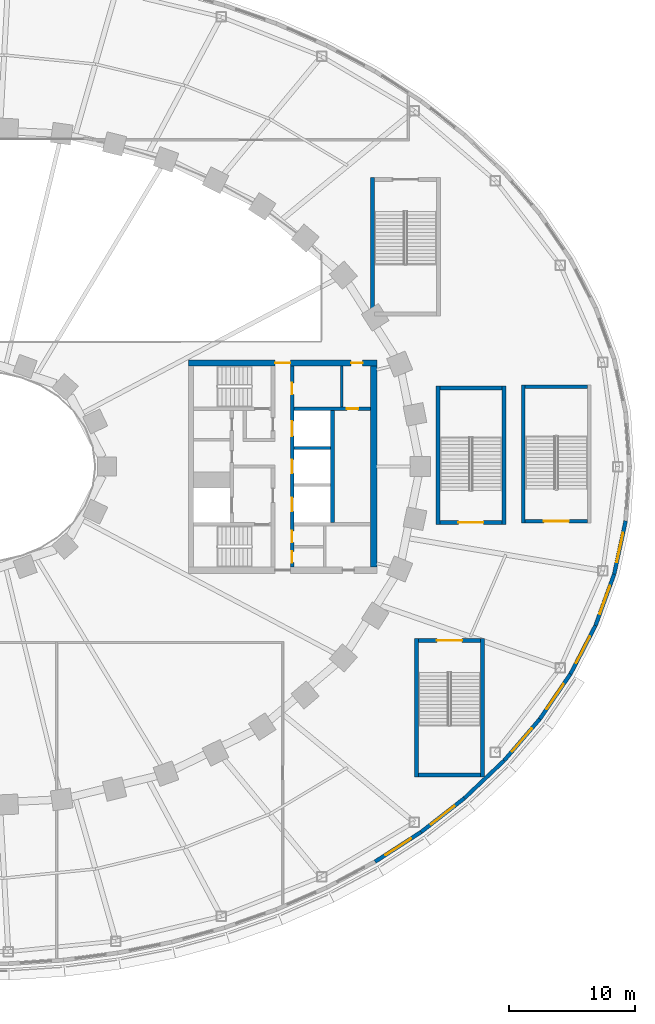
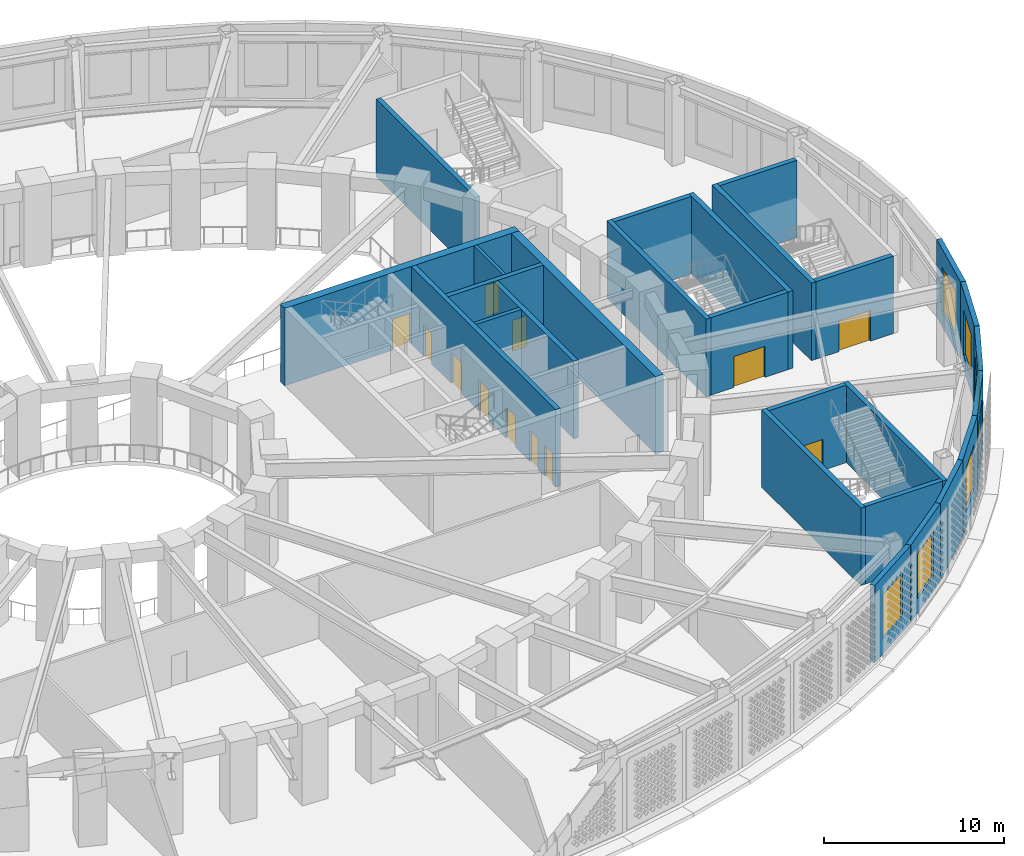
# One storey, part 19 of 69: 27 walls, 12 doors, 7 windows, 19 openings.
"""IFC4 building model written with IfcOpenShell, lengths in metres."""

from ifc_helpers import new_model, si_unit, direction, frame, frame_2d, origin, place, context, subcontext, project, spatial, rectangle, extrude, material, layer, layer_set, type_object, element, fill, save


model = new_model("IFC4")

# Units and contexts
model_context = context("Model", 3, precision=1e-05, world=origin(), true_north=direction((0.0, 1.0)))
body_context = subcontext(model_context, "Body", "Model", "MODEL_VIEW")
ifc_project = project(units=[si_unit("LENGTHUNIT", "METRE"), si_unit("AREAUNIT", "SQUARE_METRE"), si_unit("VOLUMEUNIT", "CUBIC_METRE"), si_unit("PLANEANGLEUNIT", "RADIAN"), si_unit("MASSUNIT", "GRAM", prefix="KILO")], contexts=[model_context])

# Site, building, storey
site_placement = place(None, origin())
site = spatial("IfcSite", under=ifc_project, at=site_placement, CompositionType="ELEMENT")
building_placement = place(site_placement, origin())
building = spatial("IfcBuilding", under=site, at=building_placement, Name="Noorbagh Ring Tower", CompositionType="ELEMENT")
storey_placement = place(building_placement, frame((0.0, 0.0, 19.5)))
storey = spatial("IfcBuildingStorey", under=building, at=storey_placement, Name="L03", CompositionType="ELEMENT", Elevation=19.5)

# Walls
ifc_material_1 = material(Name="Gypsum board on steel studs", Category="steel")
ifc_layer_1 = layer(ifc_material_1, 0.199951171875)
ifc_layer_set_1 = layer_set([ifc_layer_1], Name="Gypsum board on steel studs")
wall_type_1 = type_object("IfcWallType", Name="CORE-PARTITION-200", PredefinedType="PARTITIONING", material=ifc_layer_set_1)
wall_1_placement = place(storey_placement, frame((28.699951171875, 4.75, 0.0), z_axis=(0.0, 0.0, 1.0), x_axis=(0.0, 1.0, 0.0)))
element("IfcWall", 1, at=wall_1_placement, inside=storey, type_object=wall_type_1, Name="Core partition E", PredefinedType="PARTITIONING", context=body_context, shape_type="SweptSolid", body=[
    extrude(rectangle(XDim=3.25, YDim=0.199951171875, at=frame_2d((1.625, 0.0))), origin(), (0.0, 0.0, 1.0), 5.25),
])
ifc_material_2 = material(Name="Concrete C70/85", Category="concrete")
ifc_layer_2 = layer(ifc_material_2, 0.25)
ifc_layer_set_2 = layer_set([ifc_layer_2], Name="Concrete C70/85")
wall_type_2 = type_object("IfcWallType", Name="CORE-WALL-250-C70-85-EI120", PredefinedType="SHEAR", material=ifc_layer_set_2)
wall_2_placement = place(storey_placement, frame((24.89990234375, 1.47509765625, 0.0), z_axis=(0.0, 0.0, 1.0), x_axis=(1.0, 0.0, 0.0)))
element("IfcWall", 2, at=wall_2_placement, inside=storey, type_object=wall_type_2, Name="Core wall E", PredefinedType="SHEAR", context=body_context, shape_type="SweptSolid", body=[
    extrude(rectangle(XDim=2.900146484375, YDim=0.25, at=frame_2d((1.4501953125, 0.0))), origin(), (0.0, 0.0, 1.0), 5.25),
])
ifc_material_3 = material(Name="Concrete C70/85", Category="concrete")
ifc_layer_3 = layer(ifc_material_3, 0.300048828125)
ifc_layer_set_3 = layer_set([ifc_layer_3], Name="Concrete C70/85")
wall_type_3 = type_object("IfcWallType", Name="CORE-WALL-300-C70-85-EI120", PredefinedType="SHEAR", material=ifc_layer_set_3)
wall_3_placement = place(storey_placement, frame((27.949951171875, -4.449951171875, 0.0), z_axis=(0.0, 0.0, 1.0), x_axis=(0.0, 1.0, 0.0)))
element("IfcWall", 3, at=wall_3_placement, inside=storey, type_object=wall_type_3, Name="Core wall E", PredefinedType="SHEAR", context=body_context, shape_type="SweptSolid", body=[
    extrude(rectangle(XDim=8.89990234375, YDim=0.300048828125, at=frame_2d((4.449951171875, 0.0))), origin(), (0.0, 0.0, 1.0), 5.25),
])

# Wall, openings, doors
wall_4_placement = place(storey_placement, frame((24.75, -8.0, 0.0), z_axis=(0.0, 0.0, 1.0), x_axis=(0.0, 1.0, 0.0)))
wall_4 = element("IfcWall", 4, at=wall_4_placement, inside=storey, type_object=wall_type_3, Name="Core wall E", PredefinedType="SHEAR", context=body_context, shape_type="SweptSolid", body=[
    extrude(rectangle(XDim=16.0, YDim=0.300048828125, at=frame_2d((8.0, 0.0))), origin(), (0.0, 0.0, 1.0), 5.25),
])
opening_1_placement = place(wall_4_placement, frame((4.425048828125, 0.0, 0.0)))
opening_1 = element("IfcOpeningElement", 5, at=opening_1_placement, cuts=wall_4, Name="Opening L03-CE02", PredefinedType="OPENING", context=body_context, shape_type="SweptSolid", body=[
    extrude(rectangle(XDim=1.10009765625, YDim=2.10009765625, at=frame_2d((0.550048828125, 1.050048828125))), frame((0.0, 0.16015625, 0.0), z_axis=(0.0, -1.0, 0.0), x_axis=(1.0, 0.0, 0.0)), (0.0, 0.0, 1.0), 0.320068359375),
])
opening_2_placement = place(wall_4_placement, frame((7.449951171875, 0.0, 0.0)))
opening_2 = element("IfcOpeningElement", 6, at=opening_2_placement, cuts=wall_4, Name="Opening L03-CE03", PredefinedType="OPENING", context=body_context, shape_type="SweptSolid", body=[
    extrude(rectangle(XDim=1.10009765625, YDim=2.10009765625, at=frame_2d((0.550048828125, 1.050048828125))), frame((0.0, 0.16015625, 0.0), z_axis=(0.0, -1.0, 0.0), x_axis=(1.0, 0.0, 0.0)), (0.0, 0.0, 1.0), 0.320068359375),
])
opening_3_placement = place(wall_4_placement, frame((10.425048828125, 0.0, 0.0)))
opening_3 = element("IfcOpeningElement", 7, at=opening_3_placement, cuts=wall_4, Name="Opening L03-CE04", PredefinedType="OPENING", context=body_context, shape_type="SweptSolid", body=[
    extrude(rectangle(XDim=1.199951171875, YDim=2.10009765625, at=frame_2d((0.60009765625, 1.050048828125))), frame((0.0, 0.16015625, 0.0), z_axis=(0.0, -1.0, 0.0), x_axis=(1.0, 0.0, 0.0)), (0.0, 0.0, 1.0), 0.320068359375),
])
opening_4_placement = place(wall_4_placement, frame((13.75, 0.0, 0.0)))
opening_4 = element("IfcOpeningElement", 8, at=opening_4_placement, cuts=wall_4, Name="Opening L03-CE13", PredefinedType="OPENING", context=body_context, shape_type="SweptSolid", body=[
    extrude(rectangle(XDim=0.89990234375, YDim=2.10009765625, at=frame_2d((0.449951171875, 1.050048828125))), frame((0.0, 0.16015625, 0.0), z_axis=(0.0, -1.0, 0.0), x_axis=(1.0, 0.0, 0.0)), (0.0, 0.0, 1.0), 0.320068359375),
])
opening_5_placement = place(wall_4_placement, frame((1.97509765625, 0.0, 0.0)))
opening_5 = element("IfcOpeningElement", 9, at=opening_5_placement, cuts=wall_4, Name="Opening L03-CE15", PredefinedType="OPENING", context=body_context, shape_type="SweptSolid", body=[
    extrude(rectangle(XDim=0.89990234375, YDim=2.10009765625, at=frame_2d((0.449951171875, 1.050048828125))), frame((0.0, 0.16015625, 0.0), z_axis=(0.0, -1.0, 0.0), x_axis=(1.0, 0.0, 0.0)), (0.0, 0.0, 1.0), 0.320068359375),
])
opening_6_placement = place(wall_4_placement, frame((0.35009765625, 0.0, 0.0)))
opening_6 = element("IfcOpeningElement", 10, at=opening_6_placement, cuts=wall_4, Name="Opening L03-CE16", PredefinedType="OPENING", context=body_context, shape_type="SweptSolid", body=[
    extrude(rectangle(XDim=0.89990234375, YDim=2.10009765625, at=frame_2d((0.449951171875, 1.050048828125))), frame((0.0, 0.16015625, 0.0), z_axis=(0.0, -1.0, 0.0), x_axis=(1.0, 0.0, 0.0)), (0.0, 0.0, 1.0), 0.320068359375),
])
ifc_material_4 = material(Name="Steel door leaf", Category="steel")
door_type_1 = type_object("IfcDoorType", Name="CORE-DOOR-DROOM", OperationType="SINGLE_SWING_LEFT", PredefinedType="DOOR", material=ifc_material_4)
door_1_placement = place(opening_4_placement, origin())
door_1 = element("IfcDoor", 11, at=door_1_placement, inside=storey, type_object=door_type_1, Name="Core room door L03-CE13", OperationType="SINGLE_SWING_LEFT", OverallHeight=2.10009765625, OverallWidth=0.89990234375, PredefinedType="DOOR", context=body_context, shape_type="SweptSolid", body=[
    extrude(rectangle(XDim=0.89990234375, YDim=2.10009765625, at=frame_2d((0.449951171875, 1.050048828125))), frame((0.0, 0.02490234375, 0.0), z_axis=(0.0, -1.0, 0.0), x_axis=(1.0, 0.0, 0.0)), (0.0, 0.0, 1.0), 0.050048828125),
])
fill(opening_4, door_1)
door_2_placement = place(opening_5_placement, origin())
door_2 = element("IfcDoor", 12, at=door_2_placement, inside=storey, type_object=door_type_1, Name="Core room door L03-CE15", OperationType="SINGLE_SWING_LEFT", OverallHeight=2.10009765625, OverallWidth=0.89990234375, PredefinedType="DOOR", context=body_context, shape_type="SweptSolid", body=[
    extrude(rectangle(XDim=0.89990234375, YDim=2.10009765625, at=frame_2d((0.449951171875, 1.050048828125))), frame((0.0, 0.02490234375, 0.0), z_axis=(0.0, -1.0, 0.0), x_axis=(1.0, 0.0, 0.0)), (0.0, 0.0, 1.0), 0.050048828125),
])
fill(opening_5, door_2)
door_3_placement = place(opening_6_placement, origin())
door_3 = element("IfcDoor", 13, at=door_3_placement, inside=storey, type_object=door_type_1, Name="Core room door L03-CE16", OperationType="SINGLE_SWING_RIGHT", OverallHeight=2.10009765625, OverallWidth=0.89990234375, PredefinedType="DOOR", context=body_context, shape_type="SweptSolid", body=[
    extrude(rectangle(XDim=0.89990234375, YDim=2.10009765625, at=frame_2d((0.449951171875, 1.050048828125))), frame((0.0, 0.02490234375, 0.0), z_axis=(0.0, -1.0, 0.0), x_axis=(1.0, 0.0, 0.0)), (0.0, 0.0, 1.0), 0.050048828125),
])
fill(opening_6, door_3)
ifc_material_5 = material(Name="Steel door leaf", Category="steel")
door_type_2 = type_object("IfcDoorType", Name="CORE-DOOR-LD", OperationType="DOUBLE_DOOR_SLIDING", PredefinedType="DOOR", material=ifc_material_5)
door_4_placement = place(opening_1_placement, origin())
door_4 = element("IfcDoor", 14, at=door_4_placement, inside=storey, type_object=door_type_2, Name="Landing door LR3 L03-CE02", OperationType="DOUBLE_DOOR_SLIDING", OverallHeight=2.10009765625, OverallWidth=1.10009765625, PredefinedType="DOOR", context=body_context, shape_type="SweptSolid", body=[
    extrude(rectangle(XDim=1.10009765625, YDim=2.10009765625, at=frame_2d((0.550048828125, 1.050048828125))), frame((0.0, 0.02490234375, 0.0), z_axis=(0.0, -1.0, 0.0), x_axis=(1.0, 0.0, 0.0)), (0.0, 0.0, 1.0), 0.050048828125),
])
fill(opening_1, door_4)
door_5_placement = place(opening_2_placement, origin())
door_5 = element("IfcDoor", 15, at=door_5_placement, inside=storey, type_object=door_type_2, Name="Landing door LR4 L03-CE03", OperationType="DOUBLE_DOOR_SLIDING", OverallHeight=2.10009765625, OverallWidth=1.10009765625, PredefinedType="DOOR", context=body_context, shape_type="SweptSolid", body=[
    extrude(rectangle(XDim=1.10009765625, YDim=2.10009765625, at=frame_2d((0.550048828125, 1.050048828125))), frame((0.0, 0.02490234375, 0.0), z_axis=(0.0, -1.0, 0.0), x_axis=(1.0, 0.0, 0.0)), (0.0, 0.0, 1.0), 0.050048828125),
])
fill(opening_2, door_5)
ifc_material_6 = material(Name="Steel door leaf", Category="steel")
door_type_3 = type_object("IfcDoorType", Name="CORE-DOOR-LDW", OperationType="DOUBLE_DOOR_SLIDING", PredefinedType="DOOR", material=ifc_material_6)
door_6_placement = place(opening_3_placement, origin())
door_6 = element("IfcDoor", 16, at=door_6_placement, inside=storey, type_object=door_type_3, Name="Landing door SV2 L03-CE04", OperationType="DOUBLE_DOOR_SLIDING", OverallHeight=2.10009765625, OverallWidth=1.199951171875, PredefinedType="DOOR", context=body_context, shape_type="SweptSolid", body=[
    extrude(rectangle(XDim=1.199951171875, YDim=2.10009765625, at=frame_2d((0.60009765625, 1.050048828125))), frame((0.0, 0.02490234375, 0.0), z_axis=(0.0, -1.0, 0.0), x_axis=(1.0, 0.0, 0.0)), (0.0, 0.0, 1.0), 0.050048828125),
])
fill(opening_3, door_6)

# Wall, opening, door
ifc_material_7 = material(Name="Concrete C70/85", Category="concrete")
ifc_layer_4 = layer(ifc_material_7, 0.300048828125)
ifc_layer_set_4 = layer_set([ifc_layer_4], Name="Concrete C70/85")
wall_type_4 = type_object("IfcWallType", Name="CORE-WALL-300-C70-85-EI240", PredefinedType="SHEAR", material=ifc_layer_set_4)
wall_5_placement = place(storey_placement, frame((24.89990234375, 4.60009765625, 0.0), z_axis=(0.0, 0.0, 1.0), x_axis=(1.0, 0.0, 0.0)))
wall_5 = element("IfcWall", 17, at=wall_5_placement, inside=storey, type_object=wall_type_4, Name="Core wall E", PredefinedType="SHEAR", context=body_context, shape_type="SweptSolid", body=[
    extrude(rectangle(XDim=6.10009765625, YDim=0.300048828125, at=frame_2d((3.050048828125, 0.0))), origin(), (0.0, 0.0, 1.0), 5.25),
])
opening_7_placement = place(wall_5_placement, frame((4.199951171875, 0.0, 0.0)))
opening_7 = element("IfcOpeningElement", 18, at=opening_7_placement, cuts=wall_5, Name="Opening L03-CE18", PredefinedType="OPENING", context=body_context, shape_type="SweptSolid", body=[
    extrude(rectangle(XDim=0.89990234375, YDim=2.10009765625, at=frame_2d((0.449951171875, 1.050048828125))), frame((0.0, 0.16015625, 0.0), z_axis=(0.0, -1.0, 0.0), x_axis=(1.0, 0.0, 0.0)), (0.0, 0.0, 1.0), 0.320068359375),
])
door_7_placement = place(opening_7_placement, origin())
door_7 = element("IfcDoor", 19, at=door_7_placement, inside=storey, type_object=door_type_1, Name="Core room door L03-CE18", OperationType="SINGLE_SWING_RIGHT", OverallHeight=2.10009765625, OverallWidth=0.89990234375, PredefinedType="DOOR", context=body_context, shape_type="SweptSolid", body=[
    extrude(rectangle(XDim=0.89990234375, YDim=2.10009765625, at=frame_2d((0.449951171875, 1.050048828125))), frame((0.0, 0.02490234375, 0.0), z_axis=(0.0, -1.0, 0.0), x_axis=(1.0, 0.0, 0.0)), (0.0, 0.0, 1.0), 0.050048828125),
])
fill(opening_7, door_7)

# Wall, openings, doors
ifc_material_8 = material(Name="Concrete C70/85", Category="concrete")
ifc_layer_5 = layer(ifc_material_8, 0.5)
ifc_layer_set_5 = layer_set([ifc_layer_5], Name="Concrete C70/85")
wall_type_5 = type_object("IfcWallType", Name="CORE-WALL-500-C70-85-EI240", PredefinedType="SHEAR", material=ifc_layer_set_5)
wall_6_placement = place(storey_placement, frame((16.5, 8.25, 0.0), z_axis=(0.0, 0.0, 1.0), x_axis=(1.0, 0.0, 0.0)))
wall_6 = element("IfcWall", 20, at=wall_6_placement, inside=storey, type_object=wall_type_5, Name="Core wall E", PredefinedType="SHEAR", context=body_context, shape_type="SweptSolid", body=[
    extrude(rectangle(XDim=15.0, YDim=0.5, at=frame_2d((7.5, 0.0))), origin(), (0.0, 0.0, 1.0), 5.25),
])
opening_8_placement = place(wall_6_placement, frame((6.89990234375, 0.0, 0.0)))
opening_8 = element("IfcOpeningElement", 21, at=opening_8_placement, cuts=wall_6, Name="Opening L03-CE09", PredefinedType="OPENING", context=body_context, shape_type="SweptSolid", body=[
    extrude(rectangle(XDim=1.199951171875, YDim=2.10009765625, at=frame_2d((0.60009765625, 1.050048828125))), frame((0.0, 0.260009765625, 0.0), z_axis=(0.0, -1.0, 0.0), x_axis=(1.0, 0.0, 0.0)), (0.0, 0.0, 1.0), 0.52001953125),
])
opening_9_placement = place(wall_6_placement, frame((12.949951171875, 0.0, 0.0)))
opening_9 = element("IfcOpeningElement", 22, at=opening_9_placement, cuts=wall_6, Name="Opening L03-CE14", PredefinedType="OPENING", context=body_context, shape_type="SweptSolid", body=[
    extrude(rectangle(XDim=0.89990234375, YDim=2.10009765625, at=frame_2d((0.449951171875, 1.050048828125))), frame((0.0, 0.260009765625, 0.0), z_axis=(0.0, -1.0, 0.0), x_axis=(1.0, 0.0, 0.0)), (0.0, 0.0, 1.0), 0.52001953125),
])
door_8_placement = place(opening_9_placement, origin())
door_8 = element("IfcDoor", 23, at=door_8_placement, inside=storey, type_object=door_type_1, Name="Core room door L03-CE14", OperationType="SINGLE_SWING_LEFT", OverallHeight=2.10009765625, OverallWidth=0.89990234375, PredefinedType="DOOR", context=body_context, shape_type="SweptSolid", body=[
    extrude(rectangle(XDim=0.89990234375, YDim=2.10009765625, at=frame_2d((0.449951171875, 1.050048828125))), frame((0.0, 0.02490234375, 0.0), z_axis=(0.0, -1.0, 0.0), x_axis=(1.0, 0.0, 0.0)), (0.0, 0.0, 1.0), 0.050048828125),
])
fill(opening_9, door_8)
ifc_material_9 = material(Name="Steel door leaf", Category="steel")
door_type_4 = type_object("IfcDoorType", Name="CORE-DOOR-PORT", OperationType="DOUBLE_DOOR_DOUBLE_SWING", PredefinedType="DOOR", material=ifc_material_9)
door_9_placement = place(opening_8_placement, origin())
door_9 = element("IfcDoor", 24, at=door_9_placement, inside=storey, type_object=door_type_4, Name="Core entrance door L03-CE09", OperationType="DOUBLE_DOOR_DOUBLE_SWING", OverallHeight=2.10009765625, OverallWidth=1.199951171875, PredefinedType="DOOR", context=body_context, shape_type="SweptSolid", body=[
    extrude(rectangle(XDim=1.199951171875, YDim=2.10009765625, at=frame_2d((0.60009765625, 1.050048828125))), frame((0.0, 0.02490234375, 0.0), z_axis=(0.0, -1.0, 0.0), x_axis=(1.0, 0.0, 0.0)), (0.0, 0.0, 1.0), 0.050048828125),
])
fill(opening_8, door_9)

# Wall
wall_7_placement = place(storey_placement, frame((31.25, -8.0, 0.0), z_axis=(0.0, 0.0, 1.0), x_axis=(0.0, 1.0, 0.0)))
element("IfcWall", 25, at=wall_7_placement, inside=storey, type_object=wall_type_5, Name="Core wall E", PredefinedType="SHEAR", context=body_context, shape_type="SweptSolid", body=[
    extrude(rectangle(XDim=16.0, YDim=0.5, at=frame_2d((8.0, 0.0))), origin(), (0.0, 0.0, 1.0), 5.25),
])

# Wall, opening, window
ifc_material_10 = material(Name="Blockwork faced with red sandstone", Category="masonry")
ifc_layer_6 = layer(ifc_material_10, 0.300048828125)
ifc_layer_set_6 = layer_set([ifc_layer_6], Name="Blockwork faced with red sandstone")
wall_type_6 = type_object("IfcWallType", Name="GND-ENV-WALL", PredefinedType="SOLIDWALL", material=ifc_layer_set_6)
wall_8_placement = place(storey_placement, frame((31.3515625, -31.448486328125, 0.0), z_axis=(0.0, 0.0, 1.0), x_axis=(0.840047348843, 0.542513088969, 0.0)))
wall_8 = element("IfcWall", 26, at=wall_8_placement, inside=storey, type_object=wall_type_6, Name="Podium wall", PredefinedType="SOLIDWALL", context=body_context, shape_type="SweptSolid", body=[
    extrude(rectangle(XDim=4.362060546875, YDim=0.300048828125, at=frame_2d((2.18115234375, 0.0))), origin(), (0.0, 0.0, 1.0), 5.25),
])
opening_10_placement = place(wall_8_placement, frame((0.98095703125, 0.0, 1.0)))
opening_10 = element("IfcOpeningElement", 27, at=opening_10_placement, cuts=wall_8, Name="Opening GWN1", PredefinedType="OPENING", context=body_context, shape_type="SweptSolid", body=[
    extrude(rectangle(XDim=2.39990234375, YDim=3.0, at=frame_2d((1.199951171875, 1.5))), frame((0.0, 0.16015625, 0.0), z_axis=(0.0, -1.0, 0.0), x_axis=(1.0, 0.0, 0.0)), (0.0, 0.0, 1.0), 0.320068359375),
])
ifc_material_11 = material(Name="Aluminium and glass", Category="aluminium")
window_type = type_object("IfcWindowType", Name="GND-ENV-WINDOW", PartitioningType="SINGLE_PANEL", PredefinedType="WINDOW", material=ifc_material_11)
window_1_placement = place(opening_10_placement, origin())
window_1 = element("IfcWindow", 28, at=window_1_placement, inside=storey, type_object=window_type, Name="L03 podium window", OverallHeight=3.0, OverallWidth=2.39990234375, PartitioningType="SINGLE_PANEL", PredefinedType="WINDOW", context=body_context, shape_type="SweptSolid", body=[
    extrude(rectangle(XDim=2.39990234375, YDim=3.0, at=frame_2d((1.199951171875, 1.5))), frame((0.0, 0.030029296875, 0.0), z_axis=(0.0, -1.0, 0.0), x_axis=(1.0, 0.0, 0.0)), (0.0, 0.0, 1.0), 0.06005859375),
])
fill(opening_10, window_1)

wall_9_placement = place(storey_placement, frame((35.015869140625, -29.08203125, 0.0), z_axis=(0.0, 0.0, 1.0), x_axis=(0.788491985196, 0.615045030288, 0.0)))
wall_9 = element("IfcWall", 29, at=wall_9_placement, inside=storey, type_object=wall_type_6, Name="Podium wall", PredefinedType="SOLIDWALL", context=body_context, shape_type="SweptSolid", body=[
    extrude(rectangle(XDim=4.359375, YDim=0.300048828125, at=frame_2d((2.1796875, 0.0))), origin(), (0.0, 0.0, 1.0), 5.25),
])
opening_11_placement = place(wall_9_placement, frame((0.979736328125, 0.0, 1.0)))
opening_11 = element("IfcOpeningElement", 30, at=opening_11_placement, cuts=wall_9, Name="Opening GWN1", PredefinedType="OPENING", context=body_context, shape_type="SweptSolid", body=[
    extrude(rectangle(XDim=2.39990234375, YDim=3.0, at=frame_2d((1.199951171875, 1.5))), frame((0.0, 0.16015625, 0.0), z_axis=(0.0, -1.0, 0.0), x_axis=(1.0, 0.0, 0.0)), (0.0, 0.0, 1.0), 0.320068359375),
])
window_2_placement = place(opening_11_placement, origin())
window_2 = element("IfcWindow", 31, at=window_2_placement, inside=storey, type_object=window_type, Name="L03 podium window", OverallHeight=3.0, OverallWidth=2.39990234375, PartitioningType="SINGLE_PANEL", PredefinedType="WINDOW", context=body_context, shape_type="SweptSolid", body=[
    extrude(rectangle(XDim=2.39990234375, YDim=3.0, at=frame_2d((1.199951171875, 1.5))), frame((0.0, 0.030029296875, 0.0), z_axis=(0.0, -1.0, 0.0), x_axis=(1.0, 0.0, 0.0)), (0.0, 0.0, 1.0), 0.06005859375),
])
fill(opening_11, window_2)

# Wall
wall_10_placement = place(storey_placement, frame((38.453125, -26.40087890625, 0.0), z_axis=(0.0, 0.0, 1.0), x_axis=(0.72620446032, 0.687478786444, 0.0)))
element("IfcWall", 32, at=wall_10_placement, inside=storey, type_object=wall_type_6, Name="Podium wall", PredefinedType="SOLIDWALL", context=body_context, shape_type="SweptSolid", body=[
    extrude(rectangle(XDim=4.356201171875, YDim=0.300048828125, at=frame_2d((2.17822265625, 0.0))), origin(), (0.0, 0.0, 1.0), 5.25),
])

# Wall, opening, window
wall_11_placement = place(storey_placement, frame((41.61669921875, -23.406005859375, 0.0), z_axis=(0.0, 0.0, 1.0), x_axis=(0.651387059497, 0.758745608699, 0.0)))
wall_11 = element("IfcWall", 33, at=wall_11_placement, inside=storey, type_object=wall_type_6, Name="Podium wall", PredefinedType="SOLIDWALL", context=body_context, shape_type="SweptSolid", body=[
    extrude(rectangle(XDim=4.3525390625, YDim=0.300048828125, at=frame_2d((2.17626953125, 0.0))), origin(), (0.0, 0.0, 1.0), 5.25),
])
opening_12_placement = place(wall_11_placement, frame((0.976318359375, 0.0, 1.0)))
opening_12 = element("IfcOpeningElement", 34, at=opening_12_placement, cuts=wall_11, Name="Opening GWN1", PredefinedType="OPENING", context=body_context, shape_type="SweptSolid", body=[
    extrude(rectangle(XDim=2.39990234375, YDim=3.0, at=frame_2d((1.199951171875, 1.5))), frame((0.0, 0.16015625, 0.0), z_axis=(0.0, -1.0, 0.0), x_axis=(1.0, 0.0, 0.0)), (0.0, 0.0, 1.0), 0.320068359375),
])
window_3_placement = place(opening_12_placement, origin())
window_3 = element("IfcWindow", 35, at=window_3_placement, inside=storey, type_object=window_type, Name="L03 podium window", OverallHeight=3.0, OverallWidth=2.39990234375, PartitioningType="SINGLE_PANEL", PredefinedType="WINDOW", context=body_context, shape_type="SweptSolid", body=[
    extrude(rectangle(XDim=2.39990234375, YDim=3.0, at=frame_2d((1.199951171875, 1.5))), frame((0.0, 0.030029296875, 0.0), z_axis=(0.0, -1.0, 0.0), x_axis=(1.0, 0.0, 0.0)), (0.0, 0.0, 1.0), 0.06005859375),
])
fill(opening_12, window_3)

wall_12_placement = place(storey_placement, frame((44.451904296875, -20.103515625, 0.0), z_axis=(0.0, 0.0, 1.0), x_axis=(0.562667738859, 0.82668314102, 0.0)))
wall_12 = element("IfcWall", 36, at=wall_12_placement, inside=storey, type_object=wall_type_6, Name="Podium wall", PredefinedType="SOLIDWALL", context=body_context, shape_type="SweptSolid", body=[
    extrude(rectangle(XDim=4.348876953125, YDim=0.300048828125, at=frame_2d((2.17431640625, 0.0))), origin(), (0.0, 0.0, 1.0), 5.25),
])
opening_13_placement = place(wall_12_placement, frame((0.974365234375, 0.0, 1.0)))
opening_13 = element("IfcOpeningElement", 37, at=opening_13_placement, cuts=wall_12, Name="Opening GWN1", PredefinedType="OPENING", context=body_context, shape_type="SweptSolid", body=[
    extrude(rectangle(XDim=2.39990234375, YDim=3.0, at=frame_2d((1.199951171875, 1.5))), frame((0.0, 0.16015625, 0.0), z_axis=(0.0, -1.0, 0.0), x_axis=(1.0, 0.0, 0.0)), (0.0, 0.0, 1.0), 0.320068359375),
])
window_4_placement = place(opening_13_placement, origin())
window_4 = element("IfcWindow", 38, at=window_4_placement, inside=storey, type_object=window_type, Name="L03 podium window", OverallHeight=3.0, OverallWidth=2.39990234375, PartitioningType="SINGLE_PANEL", PredefinedType="WINDOW", context=body_context, shape_type="SweptSolid", body=[
    extrude(rectangle(XDim=2.39990234375, YDim=3.0, at=frame_2d((1.199951171875, 1.5))), frame((0.0, 0.030029296875, 0.0), z_axis=(0.0, -1.0, 0.0), x_axis=(1.0, 0.0, 0.0)), (0.0, 0.0, 1.0), 0.06005859375),
])
fill(opening_13, window_4)

wall_13_placement = place(storey_placement, frame((46.89892578125, -16.50830078125, 0.0), z_axis=(0.0, 0.0, 1.0), x_axis=(0.459242531468, 0.888310923771, 0.0)))
wall_13 = element("IfcWall", 39, at=wall_13_placement, inside=storey, type_object=wall_type_6, Name="Podium wall", PredefinedType="SOLIDWALL", context=body_context, shape_type="SweptSolid", body=[
    extrude(rectangle(XDim=4.344970703125, YDim=0.300048828125, at=frame_2d((2.17236328125, 0.0))), origin(), (0.0, 0.0, 1.0), 5.25),
])
opening_14_placement = place(wall_13_placement, frame((0.972412109375, 0.0, 1.0)))
opening_14 = element("IfcOpeningElement", 40, at=opening_14_placement, cuts=wall_13, Name="Opening GWN1", PredefinedType="OPENING", context=body_context, shape_type="SweptSolid", body=[
    extrude(rectangle(XDim=2.39990234375, YDim=3.0, at=frame_2d((1.199951171875, 1.5))), frame((0.0, 0.16015625, 0.0), z_axis=(0.0, -1.0, 0.0), x_axis=(1.0, 0.0, 0.0)), (0.0, 0.0, 1.0), 0.320068359375),
])
window_5_placement = place(opening_14_placement, origin())
window_5 = element("IfcWindow", 41, at=window_5_placement, inside=storey, type_object=window_type, Name="L03 podium window", OverallHeight=3.0, OverallWidth=2.39990234375, PartitioningType="SINGLE_PANEL", PredefinedType="WINDOW", context=body_context, shape_type="SweptSolid", body=[
    extrude(rectangle(XDim=2.39990234375, YDim=3.0, at=frame_2d((1.199951171875, 1.5))), frame((0.0, 0.030029296875, 0.0), z_axis=(0.0, -1.0, 0.0), x_axis=(1.0, 0.0, 0.0)), (0.0, 0.0, 1.0), 0.06005859375),
])
fill(opening_14, window_5)

wall_14_placement = place(storey_placement, frame((48.894287109375, -12.648681640625, 0.0), z_axis=(0.0, 0.0, 1.0), x_axis=(0.341286990045, 0.939959142956, 0.0)))
wall_14 = element("IfcWall", 42, at=wall_14_placement, inside=storey, type_object=wall_type_6, Name="Podium wall", PredefinedType="SOLIDWALL", context=body_context, shape_type="SweptSolid", body=[
    extrude(rectangle(XDim=4.341552734375, YDim=0.300048828125, at=frame_2d((2.1708984375, 0.0))), origin(), (0.0, 0.0, 1.0), 5.25),
])
opening_15_placement = place(wall_14_placement, frame((0.970703125, 0.0, 1.0)))
opening_15 = element("IfcOpeningElement", 43, at=opening_15_placement, cuts=wall_14, Name="Opening GWN1", PredefinedType="OPENING", context=body_context, shape_type="SweptSolid", body=[
    extrude(rectangle(XDim=2.39990234375, YDim=3.0, at=frame_2d((1.199951171875, 1.5))), frame((0.0, 0.16015625, 0.0), z_axis=(0.0, -1.0, 0.0), x_axis=(1.0, 0.0, 0.0)), (0.0, 0.0, 1.0), 0.320068359375),
])
window_6_placement = place(opening_15_placement, origin())
window_6 = element("IfcWindow", 44, at=window_6_placement, inside=storey, type_object=window_type, Name="L03 podium window", OverallHeight=3.0, OverallWidth=2.39990234375, PartitioningType="SINGLE_PANEL", PredefinedType="WINDOW", context=body_context, shape_type="SweptSolid", body=[
    extrude(rectangle(XDim=2.39990234375, YDim=3.0, at=frame_2d((1.199951171875, 1.5))), frame((0.0, 0.030029296875, 0.0), z_axis=(0.0, -1.0, 0.0), x_axis=(1.0, 0.0, 0.0)), (0.0, 0.0, 1.0), 0.06005859375),
])
fill(opening_15, window_6)

wall_15_placement = place(storey_placement, frame((50.3759765625, -8.56787109375, 0.0), z_axis=(0.0, 0.0, 1.0), x_axis=(0.210616468766, 0.977568771537, 0.0)))
wall_15 = element("IfcWall", 45, at=wall_15_placement, inside=storey, type_object=wall_type_6, Name="Podium wall", PredefinedType="SOLIDWALL", context=body_context, shape_type="SweptSolid", body=[
    extrude(rectangle(XDim=4.3388671875, YDim=0.300048828125, at=frame_2d((2.16943359375, 0.0))), origin(), (0.0, 0.0, 1.0), 5.25),
])
opening_16_placement = place(wall_15_placement, frame((0.969482421875, 0.0, 1.0)))
opening_16 = element("IfcOpeningElement", 46, at=opening_16_placement, cuts=wall_15, Name="Opening GWN1", PredefinedType="OPENING", context=body_context, shape_type="SweptSolid", body=[
    extrude(rectangle(XDim=2.39990234375, YDim=3.0, at=frame_2d((1.199951171875, 1.5))), frame((0.0, 0.16015625, 0.0), z_axis=(0.0, -1.0, 0.0), x_axis=(1.0, 0.0, 0.0)), (0.0, 0.0, 1.0), 0.320068359375),
])
window_7_placement = place(opening_16_placement, origin())
window_7 = element("IfcWindow", 47, at=window_7_placement, inside=storey, type_object=window_type, Name="L03 podium window", OverallHeight=3.0, OverallWidth=2.39990234375, PartitioningType="SINGLE_PANEL", PredefinedType="WINDOW", context=body_context, shape_type="SweptSolid", body=[
    extrude(rectangle(XDim=2.39990234375, YDim=3.0, at=frame_2d((1.199951171875, 1.5))), frame((0.0, 0.030029296875, 0.0), z_axis=(0.0, -1.0, 0.0), x_axis=(1.0, 0.0, 0.0)), (0.0, 0.0, 1.0), 0.06005859375),
])
fill(opening_16, window_7)

# Walls
ifc_material_12 = material(Name="Concrete C60/75", Category="concrete")
ifc_layer_7 = layer(ifc_material_12, 0.300048828125)
ifc_layer_set_7 = layer_set([ifc_layer_7], Name="Concrete C60/75")
wall_type_7 = type_object("IfcWallType", Name="GND-STAIR-WALL", PredefinedType="SHEAR", material=ifc_layer_set_7)
for number, where, z_axis, x_axis, name in (
    (48, (36.35009765625, -4.60009765625, 0.0), (0.0, 0.0, 1.0), (0.0, 1.0, 0.0), "Exit stair ST-P2 wall"),
    (49, (41.60009765625, -4.60009765625, 0.0), (0.0, 0.0, 1.0), (0.0, 1.0, 0.0), "Exit stair ST-P2 wall"),
):
    element("IfcWall", number, at=place(storey_placement, frame(where, z_axis=z_axis, x_axis=x_axis)), inside=storey, type_object=wall_type_7, Name=name, PredefinedType="SHEAR", context=body_context, shape_type="SweptSolid", body=[
        extrude(rectangle(XDim=11.0, YDim=0.300048828125, at=frame_2d((5.5, 0.0))), origin(), (0.0, 0.0, 1.0), 5.25),
    ])

# Wall, opening, door
wall_16_placement = place(storey_placement, frame((36.5, -4.449951171875, 0.0), z_axis=(0.0, 0.0, 1.0), x_axis=(1.0, 0.0, 0.0)))
wall_16 = element("IfcWall", 50, at=wall_16_placement, inside=storey, type_object=wall_type_7, Name="Exit stair ST-P2 wall", PredefinedType="SHEAR", context=body_context, shape_type="SweptSolid", body=[
    extrude(rectangle(XDim=4.949951171875, YDim=0.300048828125, at=frame_2d((2.47509765625, 0.0))), origin(), (0.0, 0.0, 1.0), 5.25),
])
opening_17_placement = place(wall_16_placement, frame((1.47509765625, 0.0, 0.0)))
opening_17 = element("IfcOpeningElement", 51, at=opening_17_placement, cuts=wall_16, Name="Opening GD17", PredefinedType="OPENING", context=body_context, shape_type="SweptSolid", body=[
    extrude(rectangle(XDim=2.0, YDim=2.10009765625, at=frame_2d((1.0, 1.050048828125))), frame((0.0, 0.16015625, 0.0), z_axis=(0.0, -1.0, 0.0), x_axis=(1.0, 0.0, 0.0)), (0.0, 0.0, 1.0), 0.320068359375),
])
ifc_material_13 = material(Name="Steel", Category="steel")
door_type_5 = type_object("IfcDoorType", Name="GND-STAIR-DOOR", OperationType="DOUBLE_DOOR_SINGLE_SWING", PredefinedType="DOOR", material=ifc_material_13)
door_10_placement = place(opening_17_placement, origin())
door_10 = element("IfcDoor", 52, at=door_10_placement, inside=storey, type_object=door_type_5, Name="Exit stair ST-P2 door", OperationType="DOUBLE_DOOR_SINGLE_SWING", OverallHeight=2.10009765625, OverallWidth=2.0, PredefinedType="DOOR", context=body_context, shape_type="SweptSolid", body=[
    extrude(rectangle(XDim=2.0, YDim=2.10009765625, at=frame_2d((1.0, 1.050048828125))), frame((0.0, 0.02490234375, 0.0), z_axis=(0.0, -1.0, 0.0), x_axis=(1.0, 0.0, 0.0)), (0.0, 0.0, 1.0), 0.050048828125),
])
fill(opening_17, door_10)

# Walls
wall_17_placement = place(storey_placement, frame((36.5, 6.25, 0.0), z_axis=(0.0, 0.0, 1.0), x_axis=(1.0, 0.0, 0.0)))
element("IfcWall", 53, at=wall_17_placement, inside=storey, type_object=wall_type_7, Name="Exit stair ST-P2 wall", PredefinedType="SHEAR", context=body_context, shape_type="SweptSolid", body=[
    extrude(rectangle(XDim=4.949951171875, YDim=0.300048828125, at=frame_2d((2.47509765625, 0.0))), origin(), (0.0, 0.0, 1.0), 5.25),
])
wall_18_placement = place(storey_placement, frame((43.14990234375, -4.5, 0.0), z_axis=(0.0, 0.0, 1.0), x_axis=(0.0, 1.0, 0.0)))
element("IfcWall", 54, at=wall_18_placement, inside=storey, type_object=wall_type_7, Name="Exit stair ST-P4 wall", PredefinedType="SHEAR", context=body_context, shape_type="SweptSolid", body=[
    extrude(rectangle(XDim=11.0, YDim=0.300048828125, at=frame_2d((5.5, 0.0))), origin(), (0.0, 0.0, 1.0), 5.25),
])

# Wall, opening, door
wall_19_placement = place(storey_placement, frame((43.300048828125, -4.35009765625, 0.0), z_axis=(0.0, 0.0, 1.0), x_axis=(1.0, 0.0, 0.0)))
wall_19 = element("IfcWall", 55, at=wall_19_placement, inside=storey, type_object=wall_type_7, Name="Exit stair ST-P4 wall", PredefinedType="SHEAR", context=body_context, shape_type="SweptSolid", body=[
    extrude(rectangle(XDim=4.949951171875, YDim=0.300048828125, at=frame_2d((2.47509765625, 0.0))), origin(), (0.0, 0.0, 1.0), 5.25),
])
opening_18_placement = place(wall_19_placement, frame((1.47509765625, 0.0, 0.0)))
opening_18 = element("IfcOpeningElement", 56, at=opening_18_placement, cuts=wall_19, Name="Opening GD17", PredefinedType="OPENING", context=body_context, shape_type="SweptSolid", body=[
    extrude(rectangle(XDim=2.0, YDim=2.10009765625, at=frame_2d((1.0, 1.050048828125))), frame((0.0, 0.16015625, 0.0), z_axis=(0.0, -1.0, 0.0), x_axis=(1.0, 0.0, 0.0)), (0.0, 0.0, 1.0), 0.320068359375),
])
door_11_placement = place(opening_18_placement, origin())
door_11 = element("IfcDoor", 57, at=door_11_placement, inside=storey, type_object=door_type_5, Name="Exit stair ST-P4 door", OperationType="DOUBLE_DOOR_SINGLE_SWING", OverallHeight=2.10009765625, OverallWidth=2.0, PredefinedType="DOOR", context=body_context, shape_type="SweptSolid", body=[
    extrude(rectangle(XDim=2.0, YDim=2.10009765625, at=frame_2d((1.0, 1.050048828125))), frame((0.0, 0.02490234375, 0.0), z_axis=(0.0, -1.0, 0.0), x_axis=(1.0, 0.0, 0.0)), (0.0, 0.0, 1.0), 0.050048828125),
])
fill(opening_18, door_11)

# Walls
wall_20_placement = place(storey_placement, frame((43.300048828125, 6.35009765625, 0.0), z_axis=(0.0, 0.0, 1.0), x_axis=(1.0, 0.0, 0.0)))
element("IfcWall", 58, at=wall_20_placement, inside=storey, type_object=wall_type_7, Name="Exit stair ST-P4 wall", PredefinedType="SHEAR", context=body_context, shape_type="SweptSolid", body=[
    extrude(rectangle(XDim=4.949951171875, YDim=0.300048828125, at=frame_2d((2.47509765625, 0.0))), origin(), (0.0, 0.0, 1.0), 5.25),
])
for number, where, z_axis, x_axis, name in (
    (59, (31.14990234375, 12.0, 0.0), (0.0, 0.0, 1.0), (0.0, 1.0, 0.0), "Exit stair ST-P5 wall"),
    (60, (34.64990234375, -24.699951171875, 0.0), (0.0, 0.0, 1.0), (0.0, 1.0, 0.0), "Exit stair ST-P6 wall"),
    (61, (39.89990234375, -24.699951171875, 0.0), (0.0, 0.0, 1.0), (0.0, 1.0, 0.0), "Exit stair ST-P6 wall"),
):
    element("IfcWall", number, at=place(storey_placement, frame(where, z_axis=z_axis, x_axis=x_axis)), inside=storey, type_object=wall_type_7, Name=name, PredefinedType="SHEAR", context=body_context, shape_type="SweptSolid", body=[
        extrude(rectangle(XDim=11.0, YDim=0.300048828125, at=frame_2d((5.5, 0.0))), origin(), (0.0, 0.0, 1.0), 5.25),
    ])
wall_21_placement = place(storey_placement, frame((34.800048828125, -24.550048828125, 0.0), z_axis=(0.0, 0.0, 1.0), x_axis=(1.0, 0.0, 0.0)))
element("IfcWall", 62, at=wall_21_placement, inside=storey, type_object=wall_type_7, Name="Exit stair ST-P6 wall", PredefinedType="SHEAR", context=body_context, shape_type="SweptSolid", body=[
    extrude(rectangle(XDim=4.949951171875, YDim=0.300048828125, at=frame_2d((2.47509765625, 0.0))), origin(), (0.0, 0.0, 1.0), 5.25),
])

# Wall, opening, door
wall_22_placement = place(storey_placement, frame((34.800048828125, -13.85009765625, 0.0), z_axis=(0.0, 0.0, 1.0), x_axis=(1.0, 0.0, 0.0)))
wall_22 = element("IfcWall", 63, at=wall_22_placement, inside=storey, type_object=wall_type_7, Name="Exit stair ST-P6 wall", PredefinedType="SHEAR", context=body_context, shape_type="SweptSolid", body=[
    extrude(rectangle(XDim=4.949951171875, YDim=0.300048828125, at=frame_2d((2.47509765625, 0.0))), origin(), (0.0, 0.0, 1.0), 5.25),
])
opening_19_placement = place(wall_22_placement, frame((1.47509765625, 0.0, 0.0)))
opening_19 = element("IfcOpeningElement", 64, at=opening_19_placement, cuts=wall_22, Name="Opening GD17", PredefinedType="OPENING", context=body_context, shape_type="SweptSolid", body=[
    extrude(rectangle(XDim=2.0, YDim=2.10009765625, at=frame_2d((1.0, 1.050048828125))), frame((0.0, 0.16015625, 0.0), z_axis=(0.0, -1.0, 0.0), x_axis=(1.0, 0.0, 0.0)), (0.0, 0.0, 1.0), 0.320068359375),
])
door_12_placement = place(opening_19_placement, origin())
door_12 = element("IfcDoor", 65, at=door_12_placement, inside=storey, type_object=door_type_5, Name="Exit stair ST-P6 door", OperationType="DOUBLE_DOOR_SINGLE_SWING", OverallHeight=2.10009765625, OverallWidth=2.0, PredefinedType="DOOR", context=body_context, shape_type="SweptSolid", body=[
    extrude(rectangle(XDim=2.0, YDim=2.10009765625, at=frame_2d((1.0, 1.050048828125))), frame((0.0, 0.02490234375, 0.0), z_axis=(0.0, -1.0, 0.0), x_axis=(1.0, 0.0, 0.0)), (0.0, 0.0, 1.0), 0.050048828125),
])
fill(opening_19, door_12)

save(model, "model.ifc")
